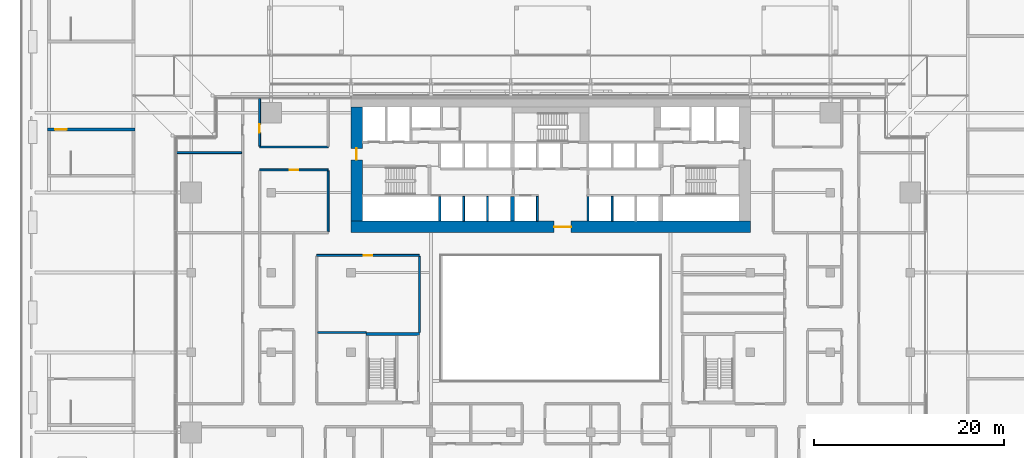
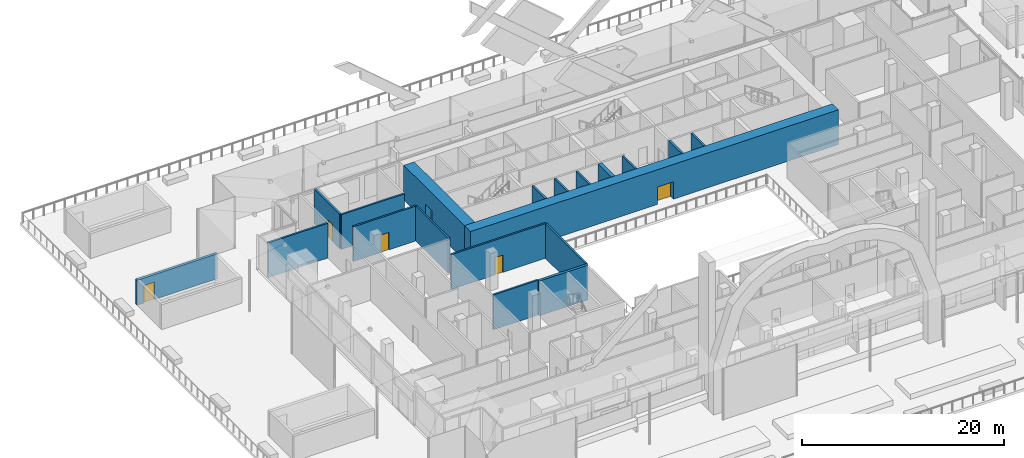
# One storey, part 24 of 60: 19 walls, 6 doors, 6 openings.
"""IFC4 building model written with IfcOpenShell, lengths in metres."""

from ifc_helpers import new_model, si_unit, direction, frame, frame_2d, origin, place, context, subcontext, project, spatial, rectangle, extrude, material, layer, layer_set, type_object, element, fill, save


model = new_model("IFC4")

# Units and contexts
model_context = context("Model", 3, precision=1e-05, world=origin(), true_north=direction((0.0, 1.0)))
body_context = subcontext(model_context, "Body", "Model", "MODEL_VIEW")
ifc_project = project(units=[si_unit("LENGTHUNIT", "METRE"), si_unit("AREAUNIT", "SQUARE_METRE"), si_unit("VOLUMEUNIT", "CUBIC_METRE"), si_unit("PLANEANGLEUNIT", "RADIAN"), si_unit("MASSUNIT", "GRAM", prefix="KILO")], contexts=[model_context])

# Site, building, storey
site_placement = place(None, origin())
site = spatial("IfcSite", under=ifc_project, at=site_placement, CompositionType="ELEMENT")
building_placement = place(site_placement, origin())
building = spatial("IfcBuilding", under=site, at=building_placement, Name="Saffron Gate Tower", CompositionType="ELEMENT")
storey_placement = place(building_placement, frame((0.0, 0.0, 19.199951171875)))
storey = spatial("IfcBuildingStorey", under=building, at=storey_placement, Name="L03", CompositionType="ELEMENT", Elevation=19.199951171875)

# Wall, opening, door
ifc_material_1 = material(Name="Concrete C70", Category="concrete")
ifc_layer_1 = layer(ifc_material_1, 1.199951171875)
ifc_layer_set_1 = layer_set([ifc_layer_1], Name="CW1 RC core wall 1200 C70")
wall_type_1 = type_object("IfcWallType", Name="CW1 RC core wall 1200 C70", PredefinedType="SOLIDWALL", material=ifc_layer_set_1)
wall_1_placement = place(storey_placement, frame((66.60009765625, 61.800048828125, 0.0), z_axis=(0.0, 0.0, 1.0), x_axis=(1.0, 0.0, 0.0)))
wall_1 = element("IfcWall", 1, at=wall_1_placement, inside=storey, type_object=wall_type_1, Name="Wall CW1-L03-1", PredefinedType="SOLIDWALL", context=body_context, shape_type="SweptSolid", body=[
    extrude(rectangle(XDim=42.0, YDim=1.199951171875, at=frame_2d((21.0, 0.0))), origin(), (0.0, 0.0, 1.0), 4.199951171875),
])
opening_1_placement = place(wall_1_placement, frame((21.35009765625, 0.0, 0.0)))
opening_1 = element("IfcOpeningElement", 2, at=opening_1_placement, cuts=wall_1, Name="Opening CR-09", PredefinedType="OPENING", context=body_context, shape_type="SweptSolid", body=[
    extrude(rectangle(XDim=1.800048828125, YDim=2.10009765625, at=frame_2d((0.89990234375, 1.050048828125))), frame((0.0, 0.60986328125, 0.0), z_axis=(0.0, -1.0, 0.0), x_axis=(1.0, 0.0, 0.0)), (0.0, 0.0, 1.0), 1.219970703125),
])
ifc_material_2 = material(Name="Steel fire door set", Category="steel")
door_type_1 = type_object("IfcDoorType", Name="CD1 Core entrance door 1800x2100 EI 120", OperationType="NOTDEFINED", PredefinedType="DOOR", material=ifc_material_2)
door_1_placement = place(opening_1_placement, origin())
door_1 = element("IfcDoor", 3, at=door_1_placement, inside=storey, type_object=door_type_1, Name="DOOR CR-09", OperationType="DOUBLE_DOOR_SINGLE_SWING", OverallHeight=2.10009765625, OverallWidth=1.800048828125, PredefinedType="DOOR", context=body_context, shape_type="SweptSolid", body=[
    extrude(rectangle(XDim=1.800048828125, YDim=2.10009765625, at=frame_2d((0.89990234375, 1.050048828125))), frame((0.0, 0.02490234375, 0.0), z_axis=(0.0, -1.0, 0.0), x_axis=(1.0, 0.0, 0.0)), (0.0, 0.0, 1.0), 0.050048828125),
])
fill(opening_1, door_1)

wall_2_placement = place(storey_placement, frame((67.199951171875, 62.39990234375, 0.0), z_axis=(0.0, 0.0, 1.0), x_axis=(0.0, 1.0, 0.0)))
wall_2 = element("IfcWall", 4, at=wall_2_placement, inside=storey, type_object=wall_type_1, Name="Wall CW1-L03-3", PredefinedType="SOLIDWALL", context=body_context, shape_type="SweptSolid", body=[
    extrude(rectangle(XDim=12.0, YDim=1.199951171875, at=frame_2d((6.0, 0.0))), origin(), (0.0, 0.0, 1.0), 4.199951171875),
])
opening_2_placement = place(wall_2_placement, frame((6.449951171875, 0.0, 0.0)))
opening_2 = element("IfcOpeningElement", 5, at=opening_2_placement, cuts=wall_2, Name="Opening CR-10", PredefinedType="OPENING", context=body_context, shape_type="SweptSolid", body=[
    extrude(rectangle(XDim=1.199951171875, YDim=2.10009765625, at=frame_2d((0.60009765625, 1.050048828125))), frame((0.0, 0.60986328125, 0.0), z_axis=(0.0, -1.0, 0.0), x_axis=(1.0, 0.0, 0.0)), (0.0, 0.0, 1.0), 1.219970703125),
])
door_type_2 = type_object("IfcDoorType", Name="CD7 Core entrance door 1200x2100 EI 120", OperationType="NOTDEFINED", PredefinedType="DOOR", material=ifc_material_2)
door_2_placement = place(opening_2_placement, origin())
door_2 = element("IfcDoor", 6, at=door_2_placement, inside=storey, type_object=door_type_2, Name="DOOR CR-10", OperationType="SINGLE_SWING_LEFT", OverallHeight=2.10009765625, OverallWidth=1.199951171875, PredefinedType="DOOR", context=body_context, shape_type="SweptSolid", body=[
    extrude(rectangle(XDim=1.199951171875, YDim=2.10009765625, at=frame_2d((0.60009765625, 1.050048828125))), frame((0.0, 0.02490234375, 0.0), z_axis=(0.0, -1.0, 0.0), x_axis=(1.0, 0.0, 0.0)), (0.0, 0.0, 1.0), 0.050048828125),
])
fill(opening_2, door_2)

# Walls
ifc_layer_2 = layer(ifc_material_1, 0.25)
ifc_layer_set_2 = layer_set([ifc_layer_2], Name="CW2 RC core wall 250 C70")
wall_type_2 = type_object("IfcWallType", Name="CW2 RC core wall 250 C70", PredefinedType="SOLIDWALL", material=ifc_layer_set_2)
for number, where, z_axis, x_axis, name in (
    (7, (75.925048828125, 62.39990234375, 0.0), (0.0, 0.0, 1.0), (0.0, 1.0, 0.0), "Wall CW2-L03-5"),
    (8, (91.52490234375, 62.39990234375, 0.0), (0.0, 0.0, 1.0), (0.0, 1.0, 0.0), "Wall CW2-L03-10"),
):
    element("IfcWall", number, at=place(storey_placement, frame(where, z_axis=z_axis, x_axis=x_axis)), inside=storey, type_object=wall_type_2, Name=name, PredefinedType="SOLIDWALL", context=body_context, shape_type="SweptSolid", body=[
        extrude(rectangle(XDim=2.60009765625, YDim=0.25, at=frame_2d((1.300048828125, 0.0))), origin(), (0.0, 0.0, 1.0), 4.199951171875),
    ])
ifc_layer_3 = layer(ifc_material_1, 0.199951171875)
ifc_layer_set_3 = layer_set([ifc_layer_3], Name="CW3 RC core wall 200 C70")
wall_type_3 = type_object("IfcWallType", Name="CW3 RC core wall 200 C70", PredefinedType="SOLIDWALL", material=ifc_layer_set_3)
for number, where, z_axis, x_axis, name in (
    (9, (78.449951171875, 62.39990234375, 0.0), (0.0, 0.0, 1.0), (0.0, 1.0, 0.0), "Wall CW3-L03-6"),
    (10, (80.949951171875, 62.39990234375, 0.0), (0.0, 0.0, 1.0), (0.0, 1.0, 0.0), "Wall CW3-L03-7"),
    (11, (86.199951171875, 62.39990234375, 0.0), (0.0, 0.0, 1.0), (0.0, 1.0, 0.0), "Wall CW3-L03-9"),
    (12, (94.050048828125, 62.39990234375, 0.0), (0.0, 0.0, 1.0), (0.0, 1.0, 0.0), "Wall CW3-L03-11"),
):
    element("IfcWall", number, at=place(storey_placement, frame(where, z_axis=z_axis, x_axis=x_axis)), inside=storey, type_object=wall_type_3, Name=name, PredefinedType="SOLIDWALL", context=body_context, shape_type="SweptSolid", body=[
        extrude(rectangle(XDim=2.60009765625, YDim=0.199951171875, at=frame_2d((1.300048828125, 0.0))), origin(), (0.0, 0.0, 1.0), 4.199951171875),
    ])
ifc_layer_4 = layer(ifc_material_1, 0.449951171875)
ifc_layer_set_4 = layer_set([ifc_layer_4], Name="CW4 RC core wall 450 C70")
wall_type_4 = type_object("IfcWallType", Name="CW4 RC core wall 450 C70", PredefinedType="SOLIDWALL", material=ifc_layer_set_4)
wall_3_placement = place(storey_placement, frame((83.574951171875, 62.39990234375, 0.0), z_axis=(0.0, 0.0, 1.0), x_axis=(0.0, 1.0, 0.0)))
element("IfcWall", 13, at=wall_3_placement, inside=storey, type_object=wall_type_4, Name="Wall CW4-L03-8", PredefinedType="SOLIDWALL", context=body_context, shape_type="SweptSolid", body=[
    extrude(rectangle(XDim=2.60009765625, YDim=0.449951171875, at=frame_2d((1.300048828125, 0.0))), origin(), (0.0, 0.0, 1.0), 4.199951171875),
])
ifc_layer_5 = layer(ifc_material_1, 0.300048828125)
ifc_layer_set_5 = layer_set([ifc_layer_5], Name="CW5 RC core wall 300 C70")
wall_type_5 = type_object("IfcWallType", Name="CW5 RC core wall 300 C70", PredefinedType="SOLIDWALL", material=ifc_layer_set_5)
wall_4_placement = place(storey_placement, frame((68.199951171875, 50.550048828125, 0.0), z_axis=(0.0, 0.0, 1.0), x_axis=(1.0, 0.0, 0.0)))
element("IfcWall", 14, at=wall_4_placement, inside=storey, type_object=wall_type_5, Name="Wall CW5-L03-D-5", PredefinedType="SOLIDWALL", context=body_context, shape_type="SweptSolid", body=[
    extrude(rectangle(XDim=5.60009765625, YDim=0.300048828125, at=frame_2d((2.800048828125, 0.0))), origin(), (0.0, 0.0, 1.0), 4.199951171875),
])

# Wall, opening, door
wall_5_placement = place(storey_placement, frame((34.699951171875, 72.02490234375, 0.0), z_axis=(0.0, 0.0, 1.0), x_axis=(1.0, 0.0, 0.0)))
wall_5 = element("IfcWall", 15, at=wall_5_placement, inside=storey, type_object=wall_type_5, Name="Wall CW5-L03-G-4", PredefinedType="SOLIDWALL", context=body_context, shape_type="SweptSolid", body=[
    extrude(rectangle(XDim=9.199951171875, YDim=0.300048828125, at=frame_2d((4.60009765625, 0.0))), origin(), (0.0, 0.0, 1.0), 3.0),
])
opening_3_placement = place(wall_5_placement, frame((0.800048828125, 0.0, 0.0)))
opening_3 = element("IfcOpeningElement", 16, at=opening_3_placement, cuts=wall_5, Name="Opening CR-28", PredefinedType="OPENING", context=body_context, shape_type="SweptSolid", body=[
    extrude(rectangle(XDim=1.199951171875, YDim=2.10009765625, at=frame_2d((0.60009765625, 1.050048828125))), frame((0.0, 0.16015625, 0.0), z_axis=(0.0, -1.0, 0.0), x_axis=(1.0, 0.0, 0.0)), (0.0, 0.0, 1.0), 0.320068359375),
])
door_type_3 = type_object("IfcDoorType", Name="CD12 Stair door 1200x2100 EI 120", OperationType="NOTDEFINED", PredefinedType="DOOR", material=ifc_material_2)
door_3_placement = place(opening_3_placement, origin())
door_3 = element("IfcDoor", 17, at=door_3_placement, inside=storey, type_object=door_type_3, Name="DOOR CR-28", OperationType="SINGLE_SWING_LEFT", OverallHeight=2.10009765625, OverallWidth=1.199951171875, PredefinedType="DOOR", context=body_context, shape_type="SweptSolid", body=[
    extrude(rectangle(XDim=1.199951171875, YDim=2.10009765625, at=frame_2d((0.60009765625, 1.050048828125))), frame((0.0, 0.02490234375, 0.0), z_axis=(0.0, -1.0, 0.0), x_axis=(1.0, 0.0, 0.0)), (0.0, 0.0, 1.0), 0.050048828125),
])
fill(opening_3, door_3)

ifc_material_3 = material(Name="Clay brick masonry, rendered", Category="masonry")
ifc_layer_6 = layer(ifc_material_3, 0.199951171875)
ifc_layer_set_6 = layer_set([ifc_layer_6], Name="PW3 Corridor wall 200")
wall_type_6 = type_object("IfcWallType", Name="PW3 Corridor wall 200", PredefinedType="PARTITIONING", material=ifc_layer_set_6)
wall_6_placement = place(storey_placement, frame((73.800048828125, 58.800048828125, 0.0), z_axis=(0.0, 0.0, 1.0), x_axis=(-1.0, 0.0, 0.0)))
wall_6 = element("IfcWall", 18, at=wall_6_placement, inside=storey, type_object=wall_type_6, Name="Wall S1-41", PredefinedType="PARTITIONING", context=body_context, shape_type="SweptSolid", body=[
    extrude(rectangle(XDim=10.800048828125, YDim=0.199951171875, at=frame_2d((5.39990234375, 0.0))), origin(), (0.0, 0.0, 1.0), 4.199951171875),
])
opening_4_placement = place(wall_6_placement, frame((4.949951171875, 0.0, 0.0)))
opening_4 = element("IfcOpeningElement", 19, at=opening_4_placement, cuts=wall_6, Name="Opening S1-5", PredefinedType="OPENING", context=body_context, shape_type="SweptSolid", body=[
    extrude(rectangle(XDim=0.89990234375, YDim=2.10009765625, at=frame_2d((0.449951171875, 1.050048828125))), frame((0.0, 0.10986328125, 0.0), z_axis=(0.0, -1.0, 0.0), x_axis=(1.0, 0.0, 0.0)), (0.0, 0.0, 1.0), 0.219970703125),
])
ifc_material_4 = material(Name="Timber door set", Category="wood")
door_type_4 = type_object("IfcDoorType", Name="RD1 Room door 900x2100", OperationType="NOTDEFINED", PredefinedType="DOOR", material=ifc_material_4)
door_4_placement = place(opening_4_placement, origin())
door_4 = element("IfcDoor", 20, at=door_4_placement, inside=storey, type_object=door_type_4, Name="Door S1-5", OperationType="SINGLE_SWING_LEFT", OverallHeight=2.10009765625, OverallWidth=0.89990234375, PredefinedType="DOOR", context=body_context, shape_type="SweptSolid", body=[
    extrude(rectangle(XDim=0.89990234375, YDim=2.10009765625, at=frame_2d((0.449951171875, 1.050048828125))), frame((0.0, 0.02490234375, 0.0), z_axis=(0.0, -1.0, 0.0), x_axis=(1.0, 0.0, 0.0)), (0.0, 0.0, 1.0), 0.050048828125),
])
fill(opening_4, door_4)

wall_7_placement = place(storey_placement, frame((64.199951171875, 67.800048828125, 0.0), z_axis=(0.0, 0.0, 1.0), x_axis=(-1.0, 0.0, 0.0)))
wall_7 = element("IfcWall", 21, at=wall_7_placement, inside=storey, type_object=wall_type_6, Name="Wall S1-51", PredefinedType="PARTITIONING", context=body_context, shape_type="SweptSolid", body=[
    extrude(rectangle(XDim=7.199951171875, YDim=0.199951171875, at=frame_2d((3.60009765625, 0.0))), origin(), (0.0, 0.0, 1.0), 4.199951171875),
])
opening_5_placement = place(wall_7_placement, frame((3.14990234375, 0.0, 0.0)))
opening_5 = element("IfcOpeningElement", 22, at=opening_5_placement, cuts=wall_7, Name="Opening S1-22", PredefinedType="OPENING", context=body_context, shape_type="SweptSolid", body=[
    extrude(rectangle(XDim=0.89990234375, YDim=2.10009765625, at=frame_2d((0.449951171875, 1.050048828125))), frame((0.0, 0.10986328125, 0.0), z_axis=(0.0, -1.0, 0.0), x_axis=(1.0, 0.0, 0.0)), (0.0, 0.0, 1.0), 0.219970703125),
])
door_5_placement = place(opening_5_placement, origin())
door_5 = element("IfcDoor", 23, at=door_5_placement, inside=storey, type_object=door_type_4, Name="Door S1-22", OperationType="SINGLE_SWING_LEFT", OverallHeight=2.10009765625, OverallWidth=0.89990234375, PredefinedType="DOOR", context=body_context, shape_type="SweptSolid", body=[
    extrude(rectangle(XDim=0.89990234375, YDim=2.10009765625, at=frame_2d((0.449951171875, 1.050048828125))), frame((0.0, 0.02490234375, 0.0), z_axis=(0.0, -1.0, 0.0), x_axis=(1.0, 0.0, 0.0)), (0.0, 0.0, 1.0), 0.050048828125),
])
fill(opening_5, door_5)

# Wall
wall_8_placement = place(storey_placement, frame((57.0, 70.199951171875, 0.0), z_axis=(0.0, 0.0, 1.0), x_axis=(1.0, 0.0, 0.0)))
element("IfcWall", 24, at=wall_8_placement, inside=storey, type_object=wall_type_6, Name="Wall S1-55", PredefinedType="PARTITIONING", context=body_context, shape_type="SweptSolid", body=[
    extrude(rectangle(XDim=7.199951171875, YDim=0.199951171875, at=frame_2d((3.60009765625, 0.0))), origin(), (0.0, 0.0, 1.0), 4.199951171875),
])

# Wall, opening, door
wall_9_placement = place(storey_placement, frame((57.0, 75.320068359375, 0.0), z_axis=(0.0, 0.0, 1.0), x_axis=(0.0, -1.0, 0.0)))
wall_9 = element("IfcWall", 25, at=wall_9_placement, inside=storey, type_object=wall_type_6, Name="Wall S1-60", PredefinedType="PARTITIONING", context=body_context, shape_type="SweptSolid", body=[
    extrude(rectangle(XDim=5.02001953125, YDim=0.199951171875, at=frame_2d((2.510009765625, 0.0))), origin(), (0.0, 0.0, 1.0), 4.199951171875),
])
opening_6_placement = place(wall_9_placement, frame((2.719970703125, 0.0, 0.0)))
opening_6 = element("IfcOpeningElement", 26, at=opening_6_placement, cuts=wall_9, Name="Opening S1-23", PredefinedType="OPENING", context=body_context, shape_type="SweptSolid", body=[
    extrude(rectangle(XDim=0.89990234375, YDim=2.10009765625, at=frame_2d((0.449951171875, 1.050048828125))), frame((0.0, 0.10986328125, 0.0), z_axis=(0.0, -1.0, 0.0), x_axis=(1.0, 0.0, 0.0)), (0.0, 0.0, 1.0), 0.219970703125),
])
door_6_placement = place(opening_6_placement, origin())
door_6 = element("IfcDoor", 27, at=door_6_placement, inside=storey, type_object=door_type_4, Name="Door S1-23", OperationType="SINGLE_SWING_RIGHT", OverallHeight=2.10009765625, OverallWidth=0.89990234375, PredefinedType="DOOR", context=body_context, shape_type="SweptSolid", body=[
    extrude(rectangle(XDim=0.89990234375, YDim=2.10009765625, at=frame_2d((0.449951171875, 1.050048828125))), frame((0.0, 0.02490234375, 0.0), z_axis=(0.0, -1.0, 0.0), x_axis=(1.0, 0.0, 0.0)), (0.0, 0.0, 1.0), 0.050048828125),
])
fill(opening_6, door_6)

# Walls
wall_10_placement = place(storey_placement, frame((64.199951171875, 67.699951171875, 0.0), z_axis=(0.0, 0.0, 1.0), x_axis=(0.0, -1.0, 0.0)))
element("IfcWall", 28, at=wall_10_placement, inside=storey, type_object=wall_type_6, Name="Wall S1-66", PredefinedType="PARTITIONING", context=body_context, shape_type="SweptSolid", body=[
    extrude(rectangle(XDim=6.39990234375, YDim=0.199951171875, at=frame_2d((3.199951171875, 0.0))), origin(), (0.0, 0.0, 1.0), 4.199951171875),
])
wall_11_placement = place(storey_placement, frame((73.800048828125, 58.699951171875, 0.0), z_axis=(0.0, 0.0, 1.0), x_axis=(0.0, -1.0, 0.0)))
element("IfcWall", 29, at=wall_11_placement, inside=storey, type_object=wall_type_6, Name="Wall S1-70", PredefinedType="PARTITIONING", context=body_context, shape_type="SweptSolid", body=[
    extrude(rectangle(XDim=8.0, YDim=0.199951171875, at=frame_2d((4.0, 0.0))), origin(), (0.0, 0.0, 1.0), 4.199951171875),
])
ifc_layer_7 = layer(ifc_material_3, 0.199951171875)
ifc_layer_set_7 = layer_set([ifc_layer_7], Name="PW5 Room wall 200")
wall_type_7 = type_object("IfcWallType", Name="PW5 Room wall 200", PredefinedType="PARTITIONING", material=ifc_layer_set_7)
wall_12_placement = place(storey_placement, frame((63.10009765625, 50.699951171875, 0.0), z_axis=(0.0, 0.0, 1.0), x_axis=(1.0, 0.0, 0.0)))
element("IfcWall", 30, at=wall_12_placement, inside=storey, type_object=wall_type_7, Name="Wall S1-31", PredefinedType="PARTITIONING", context=body_context, shape_type="SweptSolid", body=[
    extrude(rectangle(XDim=5.099853515625, YDim=0.199951171875, at=frame_2d((2.5498046875, 0.0))), origin(), (0.0, 0.0, 1.0), 4.199951171875),
])
wall_13_placement = place(storey_placement, frame((48.280029296875, 69.60009765625, 0.0), z_axis=(0.0, 0.0, 1.0), x_axis=(1.0, 0.0, 0.0)))
element("IfcWall", 31, at=wall_13_placement, inside=storey, type_object=wall_type_7, Name="Wall S1-53", PredefinedType="PARTITIONING", context=body_context, shape_type="SweptSolid", body=[
    extrude(rectangle(XDim=6.820068359375, YDim=0.199951171875, at=frame_2d((3.41015625, 0.0))), origin(), (0.0, 0.0, 1.0), 4.199951171875),
])

save(model, "model.ifc")
